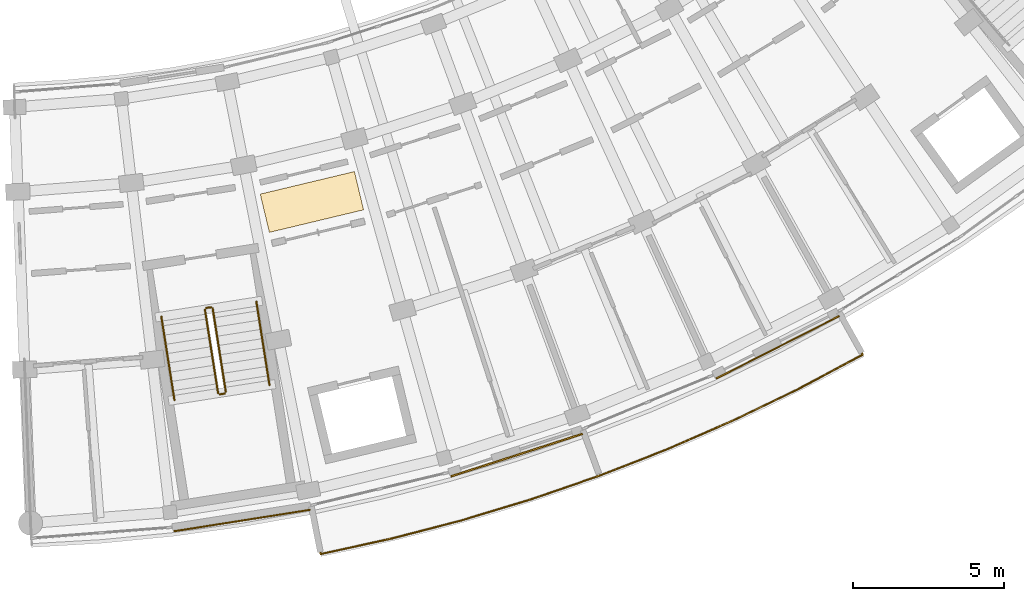
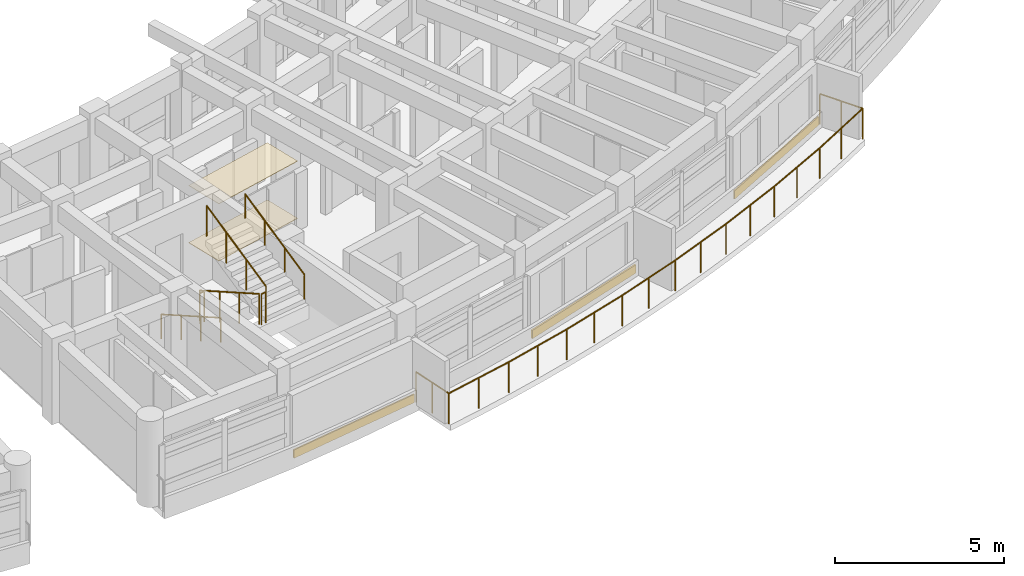
# One storey, part 53 of 55: 7 railings, 5 coverings.
"""IFC4 building model written with IfcOpenShell, lengths in metres."""

from ifc_helpers import new_model, si_unit, direction, frame, origin, origin_2d, place, context, subcontext, project, spatial, rectangle, circle, extrude, material, layer, layer_set, type_object, element, save


model = new_model("IFC4")

# Units and contexts
model_context = context("Model", 3, precision=1e-05, world=origin(), true_north=direction((0.0, 1.0)))
body_context = subcontext(model_context, "Body", "Model", "MODEL_VIEW")
ifc_project = project(units=[si_unit("LENGTHUNIT", "METRE"), si_unit("AREAUNIT", "SQUARE_METRE"), si_unit("VOLUMEUNIT", "CUBIC_METRE"), si_unit("PLANEANGLEUNIT", "RADIAN"), si_unit("MASSUNIT", "GRAM", prefix="KILO")], contexts=[model_context])

# Site, building, storey
site_placement = place(None, origin())
site = spatial("IfcSite", under=ifc_project, at=site_placement, CompositionType="ELEMENT")
building_placement = place(site_placement, origin())
building = spatial("IfcBuilding", under=site, at=building_placement, Name="Zimvara Arc Housing Community", CompositionType="ELEMENT")
storey_placement = place(building_placement, frame((0.0, 0.0, 14.300048828125)))
storey = spatial("IfcBuildingStorey", under=building, at=storey_placement, Name="L04", CompositionType="ELEMENT", Elevation=14.300048828125)

# Coverings
ifc_material_1 = material(Name="Pale-Gold Anodised Aluminium Cladding", Category="aluminium")
ifc_layer_1 = layer(ifc_material_1, 0.044921875)
ifc_layer_set_1 = layer_set([ifc_layer_1], Name="Pale-Gold Anodised Aluminium Cladding")
covering_type_1 = type_object("IfcCoveringType", Name="CLD-GOLD-02", PredefinedType="CLADDING", material=ifc_layer_set_1)
for number, where, z_axis, x_axis, name in (
    (1, (135.232421875, 51.1103515625, 0.009765625), (0.0, 0.0, 1.0), (0.987824479318, 0.155572484907, 0.0), "cld:blkD:L04:out:b1"),
    (2, (152.938720703125, 56.836181640625, 0.009765625), (0.0, 0.0, 1.0), (0.891402366318, 0.453212777096, 0.0), "cld:blkD:L04:out:b5"),
):
    element("IfcCovering", number, at=place(storey_placement, frame(where, z_axis=z_axis, x_axis=x_axis)), inside=storey, type_object=covering_type_1, Name=name, PredefinedType="CLADDING", context=body_context, shape_type="SweptSolid", body=[
        extrude(rectangle(XDim=4.5625, YDim=0.044921875, at=origin_2d()), origin(), (0.0, 0.0, 1.0), 0.300048828125),
    ])
ifc_material_2 = material(Name="Pale-Gold Anodised Aluminium Cladding", Category="aluminium")
ifc_layer_2 = layer(ifc_material_2, 0.054931640625)
ifc_layer_set_2 = layer_set([ifc_layer_2], Name="Pale-Gold Anodised Aluminium Cladding")
covering_type_2 = type_object("IfcCoveringType", Name="CLD-GOLD-04", PredefinedType="CLADDING", material=ifc_layer_set_2)
covering_1_placement = place(storey_placement, frame((144.31201171875, 53.271484375, 0.009765625), z_axis=(0.0, 0.0, 1.0), x_axis=(0.951325822325, 0.308186923436, 0.0)))
element("IfcCovering", 3, at=covering_1_placement, inside=storey, type_object=covering_type_2, Name="cld:blkD:L04:out:b3", PredefinedType="CLADDING", context=body_context, shape_type="SweptSolid", body=[
    extrude(rectangle(XDim=4.5625, YDim=0.054931640625, at=origin_2d()), origin(), (0.0, 0.0, 1.0), 0.300048828125),
])
ifc_material_3 = material(Name="Perforated Acoustic Ceiling Board")
ifc_layer_3 = layer(ifc_material_3, 0.01806640625)
ifc_layer_set_3 = layer_set([ifc_layer_3], Name="Perforated Acoustic Ceiling Board")
covering_type_3 = type_object("IfcCoveringType", Name="COV-CEIL-01", PredefinedType="CEILING", material=ifc_layer_set_3)
covering_2_placement = place(storey_placement, frame((137.53955078125, 61.639404296875, 2.06201171875), z_axis=(0.0, 0.0, 1.0), x_axis=(0.232596722241, -0.972573269632, 0.0)))
element("IfcCovering", 4, at=covering_2_placement, inside=storey, type_object=covering_type_3, Name="ceil:blkD:L04", PredefinedType="CEILING", context=body_context, shape_type="SweptSolid", body=[
    extrude(rectangle(XDim=1.300048828125, YDim=3.199951171875, at=origin_2d()), origin(), (0.0, 0.0, 1.0), 0.01806640625),
])
ifc_material_4 = material(Name="Polished Coastal Sand Terrazzo")
ifc_layer_4 = layer(ifc_material_4, 0.02001953125)
ifc_layer_set_4 = layer_set([ifc_layer_4], Name="Polished Coastal Sand Terrazzo")
covering_type_4 = type_object("IfcCoveringType", Name="COV-FLOR-01", PredefinedType="FLOORING", material=ifc_layer_set_4)
covering_3_placement = place(storey_placement, frame((137.53955078125, 61.639404296875, 0.0), z_axis=(0.0, 0.0, 1.0), x_axis=(0.232596722241, -0.972573269632, 0.0)))
element("IfcCovering", 5, at=covering_3_placement, inside=storey, type_object=covering_type_4, Name="flor:blkD:L04", PredefinedType="FLOORING", context=body_context, shape_type="SweptSolid", body=[
    extrude(rectangle(XDim=1.300048828125, YDim=3.199951171875, at=origin_2d()), origin(), (0.0, 0.0, 1.0), 0.02001953125),
])

# Railings
ifc_material_5 = material(Name="Anodised Aluminium AW-6063", Category="aluminium")
railing_type_1 = type_object("IfcRailingType", Name="RLG-BAL-1120", PredefinedType="BALUSTRADE", material=ifc_material_5)
railing_1_placement = place(storey_placement, frame((137.546630859375, 51.444091796875, 0.0)))
element("IfcRailing", 6, at=railing_1_placement, inside=storey, type_object=railing_type_1, Name="rlg:blkD:L04:bal_out_guard", PredefinedType="BALUSTRADE", context=body_context, shape_type="SweptSolid", body=[
    extrude(circle(Radius=0.02392578125, at=origin_2d()), frame((0.0, 0.0, 1.09619140625), z_axis=(0.194327130478, -0.980936780002, 0.0), x_axis=(0.980936780002, 0.194327130478, 0.0)), (0.0, 0.0, 1.0), 1.469970703125),
    extrude(circle(Radius=0.02392578125, at=origin_2d()), frame((0.28564453125, -1.44189453125, 1.09619140625), z_axis=(0.976950509296, 0.213465927928, 0.0), x_axis=(-0.213465927928, 0.976950509296, 0.0)), (0.0, 0.0, 1.0), 2.39599609375),
    extrude(circle(Radius=0.02392578125, at=origin_2d()), frame((2.62646484375, -0.930419921875, 1.09619140625), z_axis=(0.967834417436, 0.251588037129, 0.0), x_axis=(-0.251588037129, 0.967834417436, 0.0)), (0.0, 0.0, 1.0), 2.39599609375),
    extrude(circle(Radius=0.02392578125, at=origin_2d()), frame((4.9453125, -0.32763671875, 1.09619140625), z_axis=(0.957193048015, 0.289450287324, 0.0), x_axis=(-0.289450287324, 0.957193048015, 0.0)), (0.0, 0.0, 1.0), 2.396240234375),
    extrude(circle(Radius=0.02392578125, at=origin_2d()), frame((7.239013671875, 0.365966796875, 1.09619140625), z_axis=(0.945067209615, 0.326876076382, 0.0), x_axis=(-0.326876076382, 0.945067209615, 0.0)), (0.0, 0.0, 1.0), 2.39599609375),
    extrude(circle(Radius=0.02392578125, at=origin_2d()), frame((9.50341796875, 1.149169921875, 1.09619140625), z_axis=(0.931543109778, 0.363630904386, 0.0), x_axis=(-0.363630904386, 0.931543109778, 0.0)), (0.0, 0.0, 1.0), 2.396240234375),
    extrude(circle(Radius=0.02392578125, at=origin_2d()), frame((11.735595703125, 2.0205078125, 1.09619140625), z_axis=(0.916542773883, 0.39993667454, 0.0), x_axis=(-0.39993667454, 0.916542773883, 0.0)), (0.0, 0.0, 1.0), 2.39599609375),
    extrude(circle(Radius=0.02392578125, at=origin_2d()), frame((13.931640625, 2.978759765625, 1.09619140625), z_axis=(0.900139919701, 0.435600878053, 0.0), x_axis=(-0.435600878053, 0.900139919701, 0.0)), (0.0, 0.0, 1.0), 2.39599609375),
    extrude(circle(Radius=0.02392578125, at=origin_2d()), frame((16.08837890625, 4.0224609375, 1.09619140625), z_axis=(0.882338838815, 0.470614676268, 0.0), x_axis=(-0.470614676268, 0.882338838815, 0.0)), (0.0, 0.0, 1.0), 2.396240234375),
    extrude(circle(Radius=0.02392578125, at=origin_2d()), frame((18.20263671875, 5.150146484375, 1.09619140625), z_axis=(-0.48792557469, 0.872885235047, 0.0), x_axis=(-0.872885235047, -0.48792557469, 0.0)), (0.0, 0.0, 1.0), 1.469970703125),
    extrude(circle(Radius=0.02099609375, at=origin_2d()), origin(), (0.0, 0.0, 1.0), 1.072021484375),
    extrude(circle(Radius=0.02099609375, at=origin_2d()), frame((0.142822265625, -0.720947265625, 0.0)), (0.0, 0.0, 1.0), 1.072021484375),
    extrude(circle(Radius=0.02099609375, at=origin_2d()), frame((0.28564453125, -1.44189453125, 0.0)), (0.0, 0.0, 1.0), 1.072021484375),
    extrude(circle(Radius=0.02099609375, at=origin_2d()), frame((1.4560546875, -1.18603515625, 0.0)), (0.0, 0.0, 1.0), 1.072021484375),
    extrude(circle(Radius=0.02099609375, at=origin_2d()), frame((2.62646484375, -0.930419921875, 0.0)), (0.0, 0.0, 1.0), 1.072021484375),
    extrude(circle(Radius=0.02099609375, at=origin_2d()), frame((3.785888671875, -0.62890625, 0.0)), (0.0, 0.0, 1.0), 1.072021484375),
    extrude(circle(Radius=0.02099609375, at=origin_2d()), frame((4.9453125, -0.32763671875, 0.0)), (0.0, 0.0, 1.0), 1.072021484375),
    extrude(circle(Radius=0.02099609375, at=origin_2d()), frame((6.09228515625, 0.01904296875, 0.0)), (0.0, 0.0, 1.0), 1.072021484375),
    extrude(circle(Radius=0.02099609375, at=origin_2d()), frame((7.239013671875, 0.365966796875, 0.0)), (0.0, 0.0, 1.0), 1.072021484375),
    extrude(circle(Radius=0.02099609375, at=origin_2d()), frame((8.37109375, 0.757568359375, 0.0)), (0.0, 0.0, 1.0), 1.072021484375),
    extrude(circle(Radius=0.02099609375, at=origin_2d()), frame((9.50341796875, 1.149169921875, 0.0)), (0.0, 0.0, 1.0), 1.072021484375),
    extrude(circle(Radius=0.02099609375, at=origin_2d()), frame((10.61962890625, 1.5849609375, 0.0)), (0.0, 0.0, 1.0), 1.072021484375),
    extrude(circle(Radius=0.02099609375, at=origin_2d()), frame((11.735595703125, 2.0205078125, 0.0)), (0.0, 0.0, 1.0), 1.072021484375),
    extrude(circle(Radius=0.02099609375, at=origin_2d()), frame((12.83349609375, 2.49951171875, 0.0)), (0.0, 0.0, 1.0), 1.072021484375),
    extrude(circle(Radius=0.02099609375, at=origin_2d()), frame((13.931640625, 2.978759765625, 0.0)), (0.0, 0.0, 1.0), 1.072021484375),
    extrude(circle(Radius=0.02099609375, at=origin_2d()), frame((15.010009765625, 3.50048828125, 0.0)), (0.0, 0.0, 1.0), 1.072021484375),
    extrude(circle(Radius=0.02099609375, at=origin_2d()), frame((16.08837890625, 4.0224609375, 0.0)), (0.0, 0.0, 1.0), 1.072021484375),
    extrude(circle(Radius=0.02099609375, at=origin_2d()), frame((17.1455078125, 4.58642578125, 0.0)), (0.0, 0.0, 1.0), 1.072021484375),
    extrude(circle(Radius=0.02099609375, at=origin_2d()), frame((18.20263671875, 5.150146484375, 0.0)), (0.0, 0.0, 1.0), 1.072021484375),
    extrude(circle(Radius=0.02099609375, at=origin_2d()), frame((17.843994140625, 5.791748046875, 0.0)), (0.0, 0.0, 1.0), 1.072021484375),
    extrude(circle(Radius=0.02099609375, at=origin_2d()), frame((17.4853515625, 6.433349609375, 0.0)), (0.0, 0.0, 1.0), 1.072021484375),
])
railing_2_placement = place(storey_placement, frame((134.003662109375, 58.077880859375, 0.155029296875)))
element("IfcRailing", 7, at=railing_2_placement, inside=storey, type_object=railing_type_1, Name="L04 ST-D1 stair guard 1", PredefinedType="BALUSTRADE", context=body_context, shape_type="SweptSolid", body=[
    extrude(circle(Radius=0.02392578125, at=origin_2d()), frame((0.0, 0.0, 1.09619140625), z_axis=(0.139155924824, -0.88353837758, 0.447208635795), x_axis=(0.98782319772, 0.155580622336, 0.0)), (0.0, 0.0, 1.0), 3.119384765625),
    extrude(circle(Radius=0.02099609375, at=origin_2d()), origin(), (0.0, 0.0, 1.0), 1.072021484375),
    extrude(circle(Radius=0.02099609375, at=origin_2d()), frame((0.144775390625, -0.918701171875, 0.465087890625)), (0.0, 0.0, 1.0), 1.072021484375),
    extrude(circle(Radius=0.02099609375, at=origin_2d()), frame((0.289306640625, -1.83740234375, 0.929931640625)), (0.0, 0.0, 1.0), 1.072021484375),
    extrude(circle(Radius=0.02099609375, at=origin_2d()), frame((0.43408203125, -2.756103515625, 1.39501953125)), (0.0, 0.0, 1.0), 1.072021484375),
])
railing_3_placement = place(storey_placement, frame((134.494873046875, 55.280029296875, 1.550048828125)))
element("IfcRailing", 8, at=railing_3_placement, inside=storey, type_object=railing_type_1, Name="L04 ST-D1 stair guard 2", PredefinedType="BALUSTRADE", context=body_context, shape_type="SweptSolid", body=[
    extrude(circle(Radius=0.02392578125, at=origin_2d()), frame((0.0, 0.0, 1.09619140625), z_axis=(0.987800074219, 0.155727368733, 0.0), x_axis=(-0.155727368733, 0.987800074219, 0.0)), (0.0, 0.0, 1.0), 0.159912109375),
    extrude(circle(Radius=0.02099609375, at=origin_2d()), origin(), (0.0, 0.0, 1.0), 1.072021484375),
    extrude(circle(Radius=0.02099609375, at=origin_2d()), frame((0.157958984375, 0.02490234375, 0.0)), (0.0, 0.0, 1.0), 1.072021484375),
])
railing_4_placement = place(storey_placement, frame((134.694580078125, 55.3623046875, 1.704833984375)))
element("IfcRailing", 9, at=railing_4_placement, inside=storey, type_object=railing_type_1, Name="L04 ST-D1 stair guard 3", PredefinedType="BALUSTRADE", context=body_context, shape_type="SweptSolid", body=[
    extrude(circle(Radius=0.02392578125, at=origin_2d()), frame((0.0, 0.0, 1.09619140625), z_axis=(-0.139165548099, 0.883521207501, 0.447239562337), x_axis=(-0.987821079402, -0.155594071508, 0.0)), (0.0, 0.0, 1.0), 3.119140625),
    extrude(circle(Radius=0.02099609375, at=origin_2d()), origin(), (0.0, 0.0, 1.0), 1.072021484375),
    extrude(circle(Radius=0.02099609375, at=origin_2d()), frame((-0.144775390625, 0.918701171875, 0.465087890625)), (0.0, 0.0, 1.0), 1.072021484375),
    extrude(circle(Radius=0.02099609375, at=origin_2d()), frame((-0.289306640625, 1.837158203125, 0.929931640625)), (0.0, 0.0, 1.0), 1.072021484375),
    extrude(circle(Radius=0.02099609375, at=origin_2d()), frame((-0.43408203125, 2.755859375, 1.39501953125)), (0.0, 0.0, 1.0), 1.072021484375),
])
railing_5_placement = place(storey_placement, frame((134.045166015625, 58.135009765625, 0.0)))
element("IfcRailing", 10, at=railing_5_placement, inside=storey, type_object=railing_type_1, Name="L04 ST-D1 stair guard 4", PredefinedType="BALUSTRADE", context=body_context, shape_type="SweptSolid", body=[
    extrude(circle(Radius=0.02392578125, at=origin_2d()), frame((0.0, 0.0, 1.09619140625), z_axis=(0.987800074219, 0.155727368733, 0.0), x_axis=(-0.155727368733, 0.987800074219, 0.0)), (0.0, 0.0, 1.0), 0.159912109375),
    extrude(circle(Radius=0.02099609375, at=origin_2d()), origin(), (0.0, 0.0, 1.0), 1.072021484375),
    extrude(circle(Radius=0.02099609375, at=origin_2d()), frame((0.157958984375, 0.02490234375, 0.0)), (0.0, 0.0, 1.0), 1.072021484375),
])
ifc_material_6 = material(Name="Anodised Aluminium AW-6063", Category="aluminium")
railing_type_2 = type_object("IfcRailingType", Name="RLG-HND-900", PredefinedType="HANDRAIL", material=ifc_material_6)
railing_6_placement = place(storey_placement, frame((132.561279296875, 57.8505859375, 0.155029296875)))
element("IfcRailing", 11, at=railing_6_placement, inside=storey, type_object=railing_type_2, Name="L04 ST-D1 stair handrail 1", PredefinedType="HANDRAIL", context=body_context, shape_type="SweptSolid", body=[
    extrude(circle(Radius=0.02392578125, at=origin_2d()), frame((0.0, 0.0, 0.8759765625), z_axis=(0.139165548099, -0.883521207501, 0.447239562337), x_axis=(0.987821079402, 0.155594071508, 0.0)), (0.0, 0.0, 1.0), 3.119140625),
    extrude(circle(Radius=0.02099609375, at=origin_2d()), origin(), (0.0, 0.0, 1.0), 0.851806640625),
    extrude(circle(Radius=0.02099609375, at=origin_2d()), frame((0.144775390625, -0.918701171875, 0.465087890625)), (0.0, 0.0, 1.0), 0.851806640625),
    extrude(circle(Radius=0.02099609375, at=origin_2d()), frame((0.289306640625, -1.837158203125, 0.929931640625)), (0.0, 0.0, 1.0), 0.851806640625),
    extrude(circle(Radius=0.02099609375, at=origin_2d()), frame((0.43408203125, -2.755859375, 1.39501953125)), (0.0, 0.0, 1.0), 0.851806640625),
])
railing_7_placement = place(storey_placement, frame((136.13671875, 55.58935546875, 1.704833984375)))
element("IfcRailing", 12, at=railing_7_placement, inside=storey, type_object=railing_type_2, Name="L04 ST-D1 stair handrail 2", PredefinedType="HANDRAIL", context=body_context, shape_type="SweptSolid", body=[
    extrude(circle(Radius=0.02392578125, at=origin_2d()), frame((0.0, 0.0, 0.8759765625), z_axis=(-0.139155924824, 0.88353837758, 0.447208635795), x_axis=(-0.98782319772, -0.155580622336, 0.0)), (0.0, 0.0, 1.0), 3.119384765625),
    extrude(circle(Radius=0.02099609375, at=origin_2d()), origin(), (0.0, 0.0, 1.0), 0.851806640625),
    extrude(circle(Radius=0.02099609375, at=origin_2d()), frame((-0.144775390625, 0.918701171875, 0.465087890625)), (0.0, 0.0, 1.0), 0.851806640625),
    extrude(circle(Radius=0.02099609375, at=origin_2d()), frame((-0.289306640625, 1.83740234375, 0.929931640625)), (0.0, 0.0, 1.0), 0.851806640625),
    extrude(circle(Radius=0.02099609375, at=origin_2d()), frame((-0.43408203125, 2.756103515625, 1.39501953125)), (0.0, 0.0, 1.0), 0.851806640625),
])

save(model, "model.ifc")
